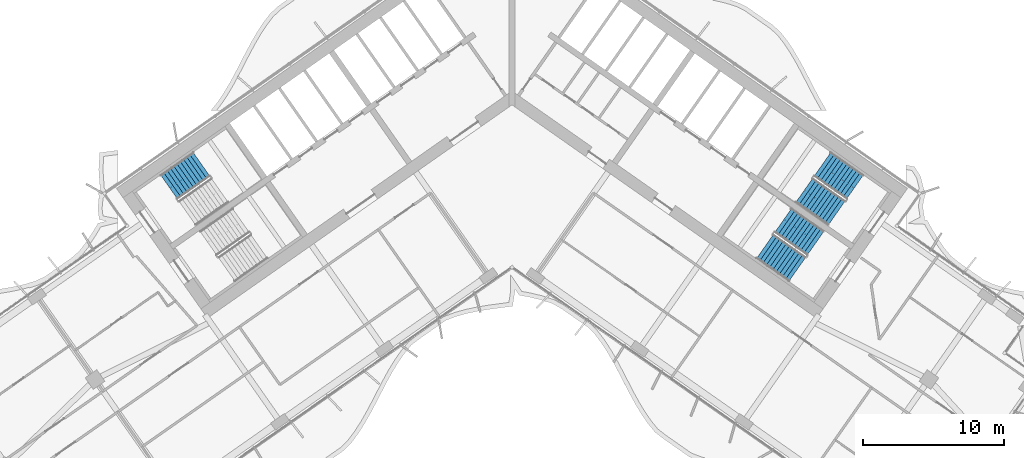
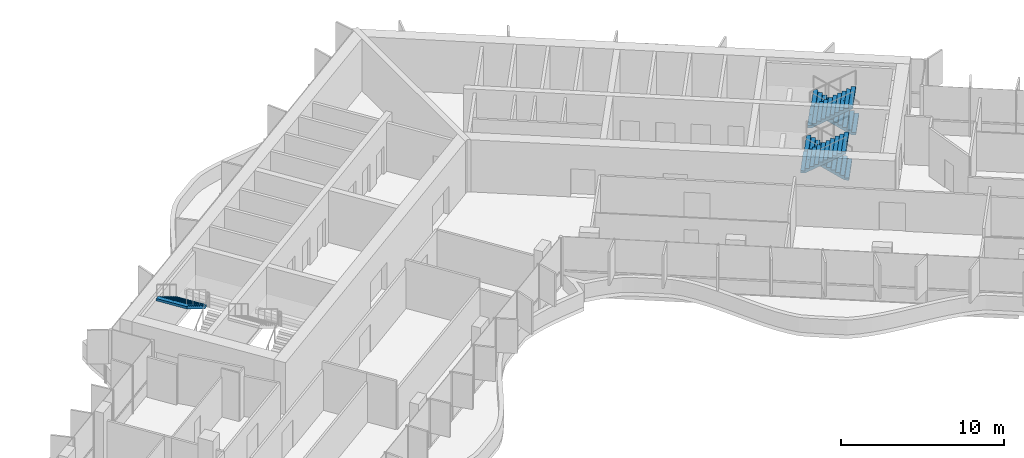
# One storey, part 16 of 22: 5 stair flights, 3 elements without a shape of their own.
"""IFC4 building model written with IfcOpenShell, lengths in metres."""

from ifc_helpers import new_model, si_unit, direction, frame, origin, place, context, subcontext, project, spatial, polyline, outline, extrude, material, type_object, element, aggregate, save


model = new_model("IFC4")

# Units and contexts
model_context = context("Model", 3, precision=1e-05, world=origin(), true_north=direction((0.0, 1.0)))
body_context = subcontext(model_context, "Body", "Model", "MODEL_VIEW")
ifc_project = project(units=[si_unit("LENGTHUNIT", "METRE"), si_unit("AREAUNIT", "SQUARE_METRE"), si_unit("VOLUMEUNIT", "CUBIC_METRE"), si_unit("PLANEANGLEUNIT", "RADIAN"), si_unit("MASSUNIT", "GRAM", prefix="KILO")], contexts=[model_context])

# Site, building, storey
site_placement = place(None, origin())
site = spatial("IfcSite", under=ifc_project, at=site_placement, CompositionType="ELEMENT")
building_placement = place(site_placement, origin())
building = spatial("IfcBuilding", under=site, at=building_placement, Name="Tel Ilan Convention Tower", CompositionType="ELEMENT")
storey_placement = place(building_placement, frame((0.0, 0.0, 143.699951171875)))
storey = spatial("IfcBuildingStorey", under=building, at=storey_placement, Name="L32", CompositionType="ELEMENT", Elevation=143.699951171875)

# Stair, stair flight
ifc_material_1 = material(Name="Concrete C40/50", Category="concrete")
stair_type = type_object("IfcStairType", Name="Pressurised Exit Stair 22 risers 177 mm", PredefinedType="HALF_TURN_STAIR", material=ifc_material_1)
stair_1_placement = place(storey_placement, origin())
stair_1 = element("IfcStair", 1, at=stair_1_placement, inside=storey, type_object=stair_type, Name="L32 Pressurised Stair S1", PredefinedType="HALF_TURN_STAIR")
ifc_material_2 = material(Name="Precast Concrete C40/50", Category="concrete")
stair_flight_type = type_object("IfcStairFlightType", Name="Concrete Stair Flight 2100 mm 22 risers 177 mm", PredefinedType="STRAIGHT", material=ifc_material_2)
stair_flight_1_placement = place(storey_placement, frame((-21.958740234375, -5.42626953125, 1.949951171875), z_axis=(0.0, 0.0, 1.0), x_axis=(-0.819152044289, -0.573576436351, 0.0)))
stair_flight_1 = element("IfcStairFlight", 2, at=stair_flight_1_placement, type_object=stair_flight_type, Name="S1 flight 2", NumberOfRisers=11, NumberOfTreads=10, PredefinedType="STRAIGHT", RiserHeight=0.177272727, TreadLength=0.28, context=body_context, shape_type="SweptSolid", body=[
    extrude(outline(polyline([(0.0, 0.0), (0.0, 0.17724609375), (0.280029296875, 0.17724609375), (0.280029296875, 0.3544921875), (0.56005859375, 0.3544921875), (0.56005859375, 0.53173828125), (0.840087890625, 0.53173828125), (0.840087890625, 0.708984375), (1.1201171875, 0.708984375), (1.1201171875, 0.886474609375), (1.39990234375, 0.886474609375), (1.39990234375, 1.063720703125), (1.679931640625, 1.063720703125), (1.679931640625, 1.240966796875), (1.9599609375, 1.240966796875), (1.9599609375, 1.418212890625), (2.239990234375, 1.418212890625), (2.239990234375, 1.595458984375), (2.52001953125, 1.595458984375), (2.52001953125, 1.772705078125), (2.800048828125, 1.772705078125), (2.800048828125, 1.949951171875), (2.800048828125, 1.59521484375), (0.2802734375, 0.0), (0.0, 0.0)])), frame((0.0, -0.100341796875, 0.0), z_axis=(0.0, -1.0, 0.0), x_axis=(1.0, 0.0, 0.0)), (0.0, 0.0, 1.0), 0.94970703125),
    extrude(outline(polyline([(0.0, 0.0), (0.0, 0.17724609375), (0.280029296875, 0.17724609375), (0.280029296875, 0.3544921875), (0.56005859375, 0.3544921875), (0.56005859375, 0.53173828125), (0.840087890625, 0.53173828125), (0.840087890625, 0.708984375), (1.1201171875, 0.708984375), (1.1201171875, 0.886474609375), (1.39990234375, 0.886474609375), (1.39990234375, 1.063720703125), (1.679931640625, 1.063720703125), (1.679931640625, 1.240966796875), (1.9599609375, 1.240966796875), (1.9599609375, 1.418212890625), (2.239990234375, 1.418212890625), (2.239990234375, 1.595458984375), (2.52001953125, 1.595458984375), (2.52001953125, 1.772705078125), (2.800048828125, 1.772705078125), (2.800048828125, 1.949951171875), (2.800048828125, 1.59521484375), (0.2802734375, 0.0), (0.0, 0.0)])), frame((0.0, -0.000244140625, 0.0), z_axis=(0.0, -1.0, 0.0), x_axis=(1.0, 0.0, 0.0)), (0.0, 0.0, 1.0), 0.099609375),
    extrude(outline(polyline([(0.0, 0.0), (0.0, 0.17724609375), (0.280029296875, 0.17724609375), (0.280029296875, 0.3544921875), (0.56005859375, 0.3544921875), (0.56005859375, 0.53173828125), (0.840087890625, 0.53173828125), (0.840087890625, 0.708984375), (1.1201171875, 0.708984375), (1.1201171875, 0.886474609375), (1.39990234375, 0.886474609375), (1.39990234375, 1.063720703125), (1.679931640625, 1.063720703125), (1.679931640625, 1.240966796875), (1.9599609375, 1.240966796875), (1.9599609375, 1.418212890625), (2.239990234375, 1.418212890625), (2.239990234375, 1.595458984375), (2.52001953125, 1.595458984375), (2.52001953125, 1.772705078125), (2.800048828125, 1.772705078125), (2.800048828125, 1.949951171875), (2.800048828125, 1.59521484375), (0.2802734375, 0.0), (0.0, 0.0)])), frame((0.0, 0.099853515625, 0.0), z_axis=(0.0, -1.0, 0.0), x_axis=(1.0, 0.0, 0.0)), (0.0, 0.0, 1.0), 0.099609375),
    extrude(outline(polyline([(0.0, 0.0), (0.0, 0.17724609375), (0.280029296875, 0.17724609375), (0.280029296875, 0.3544921875), (0.56005859375, 0.3544921875), (0.56005859375, 0.53173828125), (0.840087890625, 0.53173828125), (0.840087890625, 0.708984375), (1.1201171875, 0.708984375), (1.1201171875, 0.886474609375), (1.39990234375, 0.886474609375), (1.39990234375, 1.063720703125), (1.679931640625, 1.063720703125), (1.679931640625, 1.240966796875), (1.9599609375, 1.240966796875), (1.9599609375, 1.418212890625), (2.239990234375, 1.418212890625), (2.239990234375, 1.595458984375), (2.52001953125, 1.595458984375), (2.52001953125, 1.772705078125), (2.800048828125, 1.772705078125), (2.800048828125, 1.949951171875), (2.800048828125, 1.59521484375), (0.2802734375, 0.0), (0.0, 0.0)])), frame((0.0, 1.050048828125, 0.0), z_axis=(0.0, -1.0, 0.0), x_axis=(1.0, 0.0, 0.0)), (0.0, 0.0, 1.0), 0.94970703125),
])
aggregate(stair_1, [stair_flight_1])

# Stair, stair flights
stair_2_placement = place(storey_placement, origin())
stair_2 = element("IfcStair", 3, at=stair_2_placement, inside=storey, type_object=stair_type, Name="L32 Pressurised Stair S3", PredefinedType="HALF_TURN_STAIR")
stair_flight_2_placement = place(storey_placement, frame((24.25244140625, -7.032470703125, 0.0), z_axis=(0.0, 0.0, 1.0), x_axis=(-0.819152044289, 0.573576436351, 0.0)))
stair_flight_2 = element("IfcStairFlight", 4, at=stair_flight_2_placement, type_object=stair_flight_type, Name="S3 flight 1", NumberOfRisers=11, NumberOfTreads=10, PredefinedType="STRAIGHT", RiserHeight=0.177272727, TreadLength=0.28, context=body_context, shape_type="SweptSolid", body=[
    extrude(outline(polyline([(0.0, 0.0), (0.0, 0.17724609375), (0.280029296875, 0.17724609375), (0.280029296875, 0.3544921875), (0.56005859375, 0.3544921875), (0.56005859375, 0.53173828125), (0.840087890625, 0.53173828125), (0.840087890625, 0.708984375), (1.1201171875, 0.708984375), (1.1201171875, 0.886474609375), (1.39990234375, 0.886474609375), (1.39990234375, 1.063720703125), (1.679931640625, 1.063720703125), (1.679931640625, 1.240966796875), (1.9599609375, 1.240966796875), (1.9599609375, 1.418212890625), (2.239990234375, 1.418212890625), (2.239990234375, 1.595458984375), (2.52001953125, 1.595458984375), (2.52001953125, 1.772705078125), (2.800048828125, 1.772705078125), (2.800048828125, 1.949951171875), (2.800048828125, 1.59521484375), (0.2802734375, 0.0), (0.0, 0.0)])), frame((0.0, -0.100341796875, 0.0), z_axis=(0.0, -1.0, 0.0), x_axis=(1.0, 0.0, 0.0)), (0.0, 0.0, 1.0), 0.94970703125),
    extrude(outline(polyline([(0.0, 0.0), (0.0, 0.17724609375), (0.280029296875, 0.17724609375), (0.280029296875, 0.3544921875), (0.56005859375, 0.3544921875), (0.56005859375, 0.53173828125), (0.840087890625, 0.53173828125), (0.840087890625, 0.708984375), (1.1201171875, 0.708984375), (1.1201171875, 0.886474609375), (1.39990234375, 0.886474609375), (1.39990234375, 1.063720703125), (1.679931640625, 1.063720703125), (1.679931640625, 1.240966796875), (1.9599609375, 1.240966796875), (1.9599609375, 1.418212890625), (2.239990234375, 1.418212890625), (2.239990234375, 1.595458984375), (2.52001953125, 1.595458984375), (2.52001953125, 1.772705078125), (2.800048828125, 1.772705078125), (2.800048828125, 1.949951171875), (2.800048828125, 1.59521484375), (0.2802734375, 0.0), (0.0, 0.0)])), frame((0.0, -0.000244140625, 0.0), z_axis=(0.0, -1.0, 0.0), x_axis=(1.0, 0.0, 0.0)), (0.0, 0.0, 1.0), 0.099609375),
    extrude(outline(polyline([(0.0, 0.0), (0.0, 0.17724609375), (0.280029296875, 0.17724609375), (0.280029296875, 0.3544921875), (0.56005859375, 0.3544921875), (0.56005859375, 0.53173828125), (0.840087890625, 0.53173828125), (0.840087890625, 0.708984375), (1.1201171875, 0.708984375), (1.1201171875, 0.886474609375), (1.39990234375, 0.886474609375), (1.39990234375, 1.063720703125), (1.679931640625, 1.063720703125), (1.679931640625, 1.240966796875), (1.9599609375, 1.240966796875), (1.9599609375, 1.418212890625), (2.239990234375, 1.418212890625), (2.239990234375, 1.595458984375), (2.52001953125, 1.595458984375), (2.52001953125, 1.772705078125), (2.800048828125, 1.772705078125), (2.800048828125, 1.949951171875), (2.800048828125, 1.59521484375), (0.2802734375, 0.0), (0.0, 0.0)])), frame((0.0, 0.099853515625, 0.0), z_axis=(0.0, -1.0, 0.0), x_axis=(1.0, 0.0, 0.0)), (0.0, 0.0, 1.0), 0.099609375),
    extrude(outline(polyline([(0.0, 0.0), (0.0, 0.17724609375), (0.280029296875, 0.17724609375), (0.280029296875, 0.3544921875), (0.56005859375, 0.3544921875), (0.56005859375, 0.53173828125), (0.840087890625, 0.53173828125), (0.840087890625, 0.708984375), (1.1201171875, 0.708984375), (1.1201171875, 0.886474609375), (1.39990234375, 0.886474609375), (1.39990234375, 1.063720703125), (1.679931640625, 1.063720703125), (1.679931640625, 1.240966796875), (1.9599609375, 1.240966796875), (1.9599609375, 1.418212890625), (2.239990234375, 1.418212890625), (2.239990234375, 1.595458984375), (2.52001953125, 1.595458984375), (2.52001953125, 1.772705078125), (2.800048828125, 1.772705078125), (2.800048828125, 1.949951171875), (2.800048828125, 1.59521484375), (0.2802734375, 0.0), (0.0, 0.0)])), frame((0.0, 1.050048828125, 0.0), z_axis=(0.0, -1.0, 0.0), x_axis=(1.0, 0.0, 0.0)), (0.0, 0.0, 1.0), 0.94970703125),
])
stair_flight_3_placement = place(storey_placement, frame((20.668212890625, -7.26953125, 1.949951171875), z_axis=(0.0, 0.0, 1.0), x_axis=(0.819152044289, -0.573576436351, 0.0)))
stair_flight_3 = element("IfcStairFlight", 5, at=stair_flight_3_placement, type_object=stair_flight_type, Name="S3 flight 2", NumberOfRisers=11, NumberOfTreads=10, PredefinedType="STRAIGHT", RiserHeight=0.177272727, TreadLength=0.28, context=body_context, shape_type="SweptSolid", body=[
    extrude(outline(polyline([(0.0, 0.0), (0.0, 0.17724609375), (0.280029296875, 0.17724609375), (0.280029296875, 0.3544921875), (0.56005859375, 0.3544921875), (0.56005859375, 0.53173828125), (0.840087890625, 0.53173828125), (0.840087890625, 0.708984375), (1.1201171875, 0.708984375), (1.1201171875, 0.886474609375), (1.39990234375, 0.886474609375), (1.39990234375, 1.063720703125), (1.679931640625, 1.063720703125), (1.679931640625, 1.240966796875), (1.9599609375, 1.240966796875), (1.9599609375, 1.418212890625), (2.239990234375, 1.418212890625), (2.239990234375, 1.595458984375), (2.52001953125, 1.595458984375), (2.52001953125, 1.772705078125), (2.800048828125, 1.772705078125), (2.800048828125, 1.949951171875), (2.800048828125, 1.59521484375), (0.2802734375, 0.0), (0.0, 0.0)])), frame((0.0, -0.100341796875, 0.0), z_axis=(0.0, -1.0, 0.0), x_axis=(1.0, 0.0, 0.0)), (0.0, 0.0, 1.0), 0.94970703125),
    extrude(outline(polyline([(0.0, 0.0), (0.0, 0.17724609375), (0.280029296875, 0.17724609375), (0.280029296875, 0.3544921875), (0.56005859375, 0.3544921875), (0.56005859375, 0.53173828125), (0.840087890625, 0.53173828125), (0.840087890625, 0.708984375), (1.1201171875, 0.708984375), (1.1201171875, 0.886474609375), (1.39990234375, 0.886474609375), (1.39990234375, 1.063720703125), (1.679931640625, 1.063720703125), (1.679931640625, 1.240966796875), (1.9599609375, 1.240966796875), (1.9599609375, 1.418212890625), (2.239990234375, 1.418212890625), (2.239990234375, 1.595458984375), (2.52001953125, 1.595458984375), (2.52001953125, 1.772705078125), (2.800048828125, 1.772705078125), (2.800048828125, 1.949951171875), (2.800048828125, 1.59521484375), (0.2802734375, 0.0), (0.0, 0.0)])), frame((0.0, -0.000244140625, 0.0), z_axis=(0.0, -1.0, 0.0), x_axis=(1.0, 0.0, 0.0)), (0.0, 0.0, 1.0), 0.099609375),
    extrude(outline(polyline([(0.0, 0.0), (0.0, 0.17724609375), (0.280029296875, 0.17724609375), (0.280029296875, 0.3544921875), (0.56005859375, 0.3544921875), (0.56005859375, 0.53173828125), (0.840087890625, 0.53173828125), (0.840087890625, 0.708984375), (1.1201171875, 0.708984375), (1.1201171875, 0.886474609375), (1.39990234375, 0.886474609375), (1.39990234375, 1.063720703125), (1.679931640625, 1.063720703125), (1.679931640625, 1.240966796875), (1.9599609375, 1.240966796875), (1.9599609375, 1.418212890625), (2.239990234375, 1.418212890625), (2.239990234375, 1.595458984375), (2.52001953125, 1.595458984375), (2.52001953125, 1.772705078125), (2.800048828125, 1.772705078125), (2.800048828125, 1.949951171875), (2.800048828125, 1.59521484375), (0.2802734375, 0.0), (0.0, 0.0)])), frame((0.0, 0.099853515625, 0.0), z_axis=(0.0, -1.0, 0.0), x_axis=(1.0, 0.0, 0.0)), (0.0, 0.0, 1.0), 0.099609375),
    extrude(outline(polyline([(0.0, 0.0), (0.0, 0.17724609375), (0.280029296875, 0.17724609375), (0.280029296875, 0.3544921875), (0.56005859375, 0.3544921875), (0.56005859375, 0.53173828125), (0.840087890625, 0.53173828125), (0.840087890625, 0.708984375), (1.1201171875, 0.708984375), (1.1201171875, 0.886474609375), (1.39990234375, 0.886474609375), (1.39990234375, 1.063720703125), (1.679931640625, 1.063720703125), (1.679931640625, 1.240966796875), (1.9599609375, 1.240966796875), (1.9599609375, 1.418212890625), (2.239990234375, 1.418212890625), (2.239990234375, 1.595458984375), (2.52001953125, 1.595458984375), (2.52001953125, 1.772705078125), (2.800048828125, 1.772705078125), (2.800048828125, 1.949951171875), (2.800048828125, 1.59521484375), (0.2802734375, 0.0), (0.0, 0.0)])), frame((0.0, 1.050048828125, 0.0), z_axis=(0.0, -1.0, 0.0), x_axis=(1.0, 0.0, 0.0)), (0.0, 0.0, 1.0), 0.94970703125),
])
aggregate(stair_2, [stair_flight_2, stair_flight_3])

stair_3_placement = place(storey_placement, origin())
stair_3 = element("IfcStair", 6, at=stair_3_placement, inside=storey, type_object=stair_type, Name="L32 Pressurised Stair S4", PredefinedType="HALF_TURN_STAIR")
stair_flight_4_placement = place(storey_placement, frame((21.470458984375, -11.00537109375, 0.0), z_axis=(0.0, 0.0, 1.0), x_axis=(-0.819152044289, 0.573576436351, 0.0)))
stair_flight_4 = element("IfcStairFlight", 7, at=stair_flight_4_placement, type_object=stair_flight_type, Name="S4 flight 1", NumberOfRisers=11, NumberOfTreads=10, PredefinedType="STRAIGHT", RiserHeight=0.177272727, TreadLength=0.28, context=body_context, shape_type="SweptSolid", body=[
    extrude(outline(polyline([(0.0, 0.0), (0.0, 0.17724609375), (0.280029296875, 0.17724609375), (0.280029296875, 0.3544921875), (0.56005859375, 0.3544921875), (0.56005859375, 0.53173828125), (0.840087890625, 0.53173828125), (0.840087890625, 0.708984375), (1.1201171875, 0.708984375), (1.1201171875, 0.886474609375), (1.39990234375, 0.886474609375), (1.39990234375, 1.063720703125), (1.679931640625, 1.063720703125), (1.679931640625, 1.240966796875), (1.9599609375, 1.240966796875), (1.9599609375, 1.418212890625), (2.239990234375, 1.418212890625), (2.239990234375, 1.595458984375), (2.52001953125, 1.595458984375), (2.52001953125, 1.772705078125), (2.800048828125, 1.772705078125), (2.800048828125, 1.949951171875), (2.800048828125, 1.59521484375), (0.2802734375, 0.0), (0.0, 0.0)])), frame((0.0, -0.100341796875, 0.0), z_axis=(0.0, -1.0, 0.0), x_axis=(1.0, 0.0, 0.0)), (0.0, 0.0, 1.0), 0.94970703125),
    extrude(outline(polyline([(0.0, 0.0), (0.0, 0.17724609375), (0.280029296875, 0.17724609375), (0.280029296875, 0.3544921875), (0.56005859375, 0.3544921875), (0.56005859375, 0.53173828125), (0.840087890625, 0.53173828125), (0.840087890625, 0.708984375), (1.1201171875, 0.708984375), (1.1201171875, 0.886474609375), (1.39990234375, 0.886474609375), (1.39990234375, 1.063720703125), (1.679931640625, 1.063720703125), (1.679931640625, 1.240966796875), (1.9599609375, 1.240966796875), (1.9599609375, 1.418212890625), (2.239990234375, 1.418212890625), (2.239990234375, 1.595458984375), (2.52001953125, 1.595458984375), (2.52001953125, 1.772705078125), (2.800048828125, 1.772705078125), (2.800048828125, 1.949951171875), (2.800048828125, 1.59521484375), (0.2802734375, 0.0), (0.0, 0.0)])), frame((0.0, -0.000244140625, 0.0), z_axis=(0.0, -1.0, 0.0), x_axis=(1.0, 0.0, 0.0)), (0.0, 0.0, 1.0), 0.099609375),
    extrude(outline(polyline([(0.0, 0.0), (0.0, 0.17724609375), (0.280029296875, 0.17724609375), (0.280029296875, 0.3544921875), (0.56005859375, 0.3544921875), (0.56005859375, 0.53173828125), (0.840087890625, 0.53173828125), (0.840087890625, 0.708984375), (1.1201171875, 0.708984375), (1.1201171875, 0.886474609375), (1.39990234375, 0.886474609375), (1.39990234375, 1.063720703125), (1.679931640625, 1.063720703125), (1.679931640625, 1.240966796875), (1.9599609375, 1.240966796875), (1.9599609375, 1.418212890625), (2.239990234375, 1.418212890625), (2.239990234375, 1.595458984375), (2.52001953125, 1.595458984375), (2.52001953125, 1.772705078125), (2.800048828125, 1.772705078125), (2.800048828125, 1.949951171875), (2.800048828125, 1.59521484375), (0.2802734375, 0.0), (0.0, 0.0)])), frame((0.0, 0.099853515625, 0.0), z_axis=(0.0, -1.0, 0.0), x_axis=(1.0, 0.0, 0.0)), (0.0, 0.0, 1.0), 0.099609375),
    extrude(outline(polyline([(0.0, 0.0), (0.0, 0.17724609375), (0.280029296875, 0.17724609375), (0.280029296875, 0.3544921875), (0.56005859375, 0.3544921875), (0.56005859375, 0.53173828125), (0.840087890625, 0.53173828125), (0.840087890625, 0.708984375), (1.1201171875, 0.708984375), (1.1201171875, 0.886474609375), (1.39990234375, 0.886474609375), (1.39990234375, 1.063720703125), (1.679931640625, 1.063720703125), (1.679931640625, 1.240966796875), (1.9599609375, 1.240966796875), (1.9599609375, 1.418212890625), (2.239990234375, 1.418212890625), (2.239990234375, 1.595458984375), (2.52001953125, 1.595458984375), (2.52001953125, 1.772705078125), (2.800048828125, 1.772705078125), (2.800048828125, 1.949951171875), (2.800048828125, 1.59521484375), (0.2802734375, 0.0), (0.0, 0.0)])), frame((0.0, 1.050048828125, 0.0), z_axis=(0.0, -1.0, 0.0), x_axis=(1.0, 0.0, 0.0)), (0.0, 0.0, 1.0), 0.94970703125),
])
stair_flight_5_placement = place(storey_placement, frame((17.886474609375, -11.242431640625, 1.949951171875), z_axis=(0.0, 0.0, 1.0), x_axis=(0.819152044289, -0.573576436351, 0.0)))
stair_flight_5 = element("IfcStairFlight", 8, at=stair_flight_5_placement, type_object=stair_flight_type, Name="S4 flight 2", NumberOfRisers=11, NumberOfTreads=10, PredefinedType="STRAIGHT", RiserHeight=0.177272727, TreadLength=0.28, context=body_context, shape_type="SweptSolid", body=[
    extrude(outline(polyline([(0.0, 0.0), (0.0, 0.17724609375), (0.280029296875, 0.17724609375), (0.280029296875, 0.3544921875), (0.56005859375, 0.3544921875), (0.56005859375, 0.53173828125), (0.840087890625, 0.53173828125), (0.840087890625, 0.708984375), (1.1201171875, 0.708984375), (1.1201171875, 0.886474609375), (1.39990234375, 0.886474609375), (1.39990234375, 1.063720703125), (1.679931640625, 1.063720703125), (1.679931640625, 1.240966796875), (1.9599609375, 1.240966796875), (1.9599609375, 1.418212890625), (2.239990234375, 1.418212890625), (2.239990234375, 1.595458984375), (2.52001953125, 1.595458984375), (2.52001953125, 1.772705078125), (2.800048828125, 1.772705078125), (2.800048828125, 1.949951171875), (2.800048828125, 1.59521484375), (0.2802734375, 0.0), (0.0, 0.0)])), frame((0.0, -0.100341796875, 0.0), z_axis=(0.0, -1.0, 0.0), x_axis=(1.0, 0.0, 0.0)), (0.0, 0.0, 1.0), 0.94970703125),
    extrude(outline(polyline([(0.0, 0.0), (0.0, 0.17724609375), (0.280029296875, 0.17724609375), (0.280029296875, 0.3544921875), (0.56005859375, 0.3544921875), (0.56005859375, 0.53173828125), (0.840087890625, 0.53173828125), (0.840087890625, 0.708984375), (1.1201171875, 0.708984375), (1.1201171875, 0.886474609375), (1.39990234375, 0.886474609375), (1.39990234375, 1.063720703125), (1.679931640625, 1.063720703125), (1.679931640625, 1.240966796875), (1.9599609375, 1.240966796875), (1.9599609375, 1.418212890625), (2.239990234375, 1.418212890625), (2.239990234375, 1.595458984375), (2.52001953125, 1.595458984375), (2.52001953125, 1.772705078125), (2.800048828125, 1.772705078125), (2.800048828125, 1.949951171875), (2.800048828125, 1.59521484375), (0.2802734375, 0.0), (0.0, 0.0)])), frame((0.0, -0.000244140625, 0.0), z_axis=(0.0, -1.0, 0.0), x_axis=(1.0, 0.0, 0.0)), (0.0, 0.0, 1.0), 0.099609375),
    extrude(outline(polyline([(0.0, 0.0), (0.0, 0.17724609375), (0.280029296875, 0.17724609375), (0.280029296875, 0.3544921875), (0.56005859375, 0.3544921875), (0.56005859375, 0.53173828125), (0.840087890625, 0.53173828125), (0.840087890625, 0.708984375), (1.1201171875, 0.708984375), (1.1201171875, 0.886474609375), (1.39990234375, 0.886474609375), (1.39990234375, 1.063720703125), (1.679931640625, 1.063720703125), (1.679931640625, 1.240966796875), (1.9599609375, 1.240966796875), (1.9599609375, 1.418212890625), (2.239990234375, 1.418212890625), (2.239990234375, 1.595458984375), (2.52001953125, 1.595458984375), (2.52001953125, 1.772705078125), (2.800048828125, 1.772705078125), (2.800048828125, 1.949951171875), (2.800048828125, 1.59521484375), (0.2802734375, 0.0), (0.0, 0.0)])), frame((0.0, 0.099853515625, 0.0), z_axis=(0.0, -1.0, 0.0), x_axis=(1.0, 0.0, 0.0)), (0.0, 0.0, 1.0), 0.099609375),
    extrude(outline(polyline([(0.0, 0.0), (0.0, 0.17724609375), (0.280029296875, 0.17724609375), (0.280029296875, 0.3544921875), (0.56005859375, 0.3544921875), (0.56005859375, 0.53173828125), (0.840087890625, 0.53173828125), (0.840087890625, 0.708984375), (1.1201171875, 0.708984375), (1.1201171875, 0.886474609375), (1.39990234375, 0.886474609375), (1.39990234375, 1.063720703125), (1.679931640625, 1.063720703125), (1.679931640625, 1.240966796875), (1.9599609375, 1.240966796875), (1.9599609375, 1.418212890625), (2.239990234375, 1.418212890625), (2.239990234375, 1.595458984375), (2.52001953125, 1.595458984375), (2.52001953125, 1.772705078125), (2.800048828125, 1.772705078125), (2.800048828125, 1.949951171875), (2.800048828125, 1.59521484375), (0.2802734375, 0.0), (0.0, 0.0)])), frame((0.0, 1.050048828125, 0.0), z_axis=(0.0, -1.0, 0.0), x_axis=(1.0, 0.0, 0.0)), (0.0, 0.0, 1.0), 0.94970703125),
])
aggregate(stair_3, [stair_flight_4, stair_flight_5])

save(model, "model.ifc")
